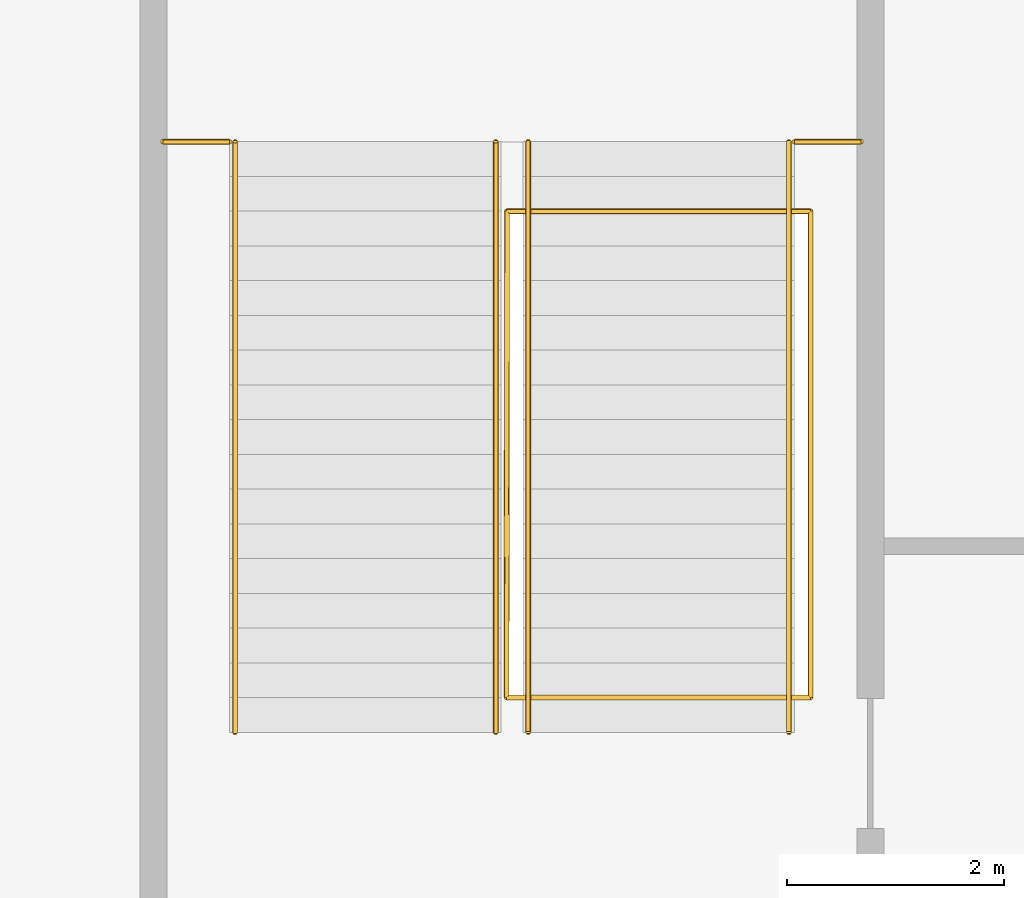
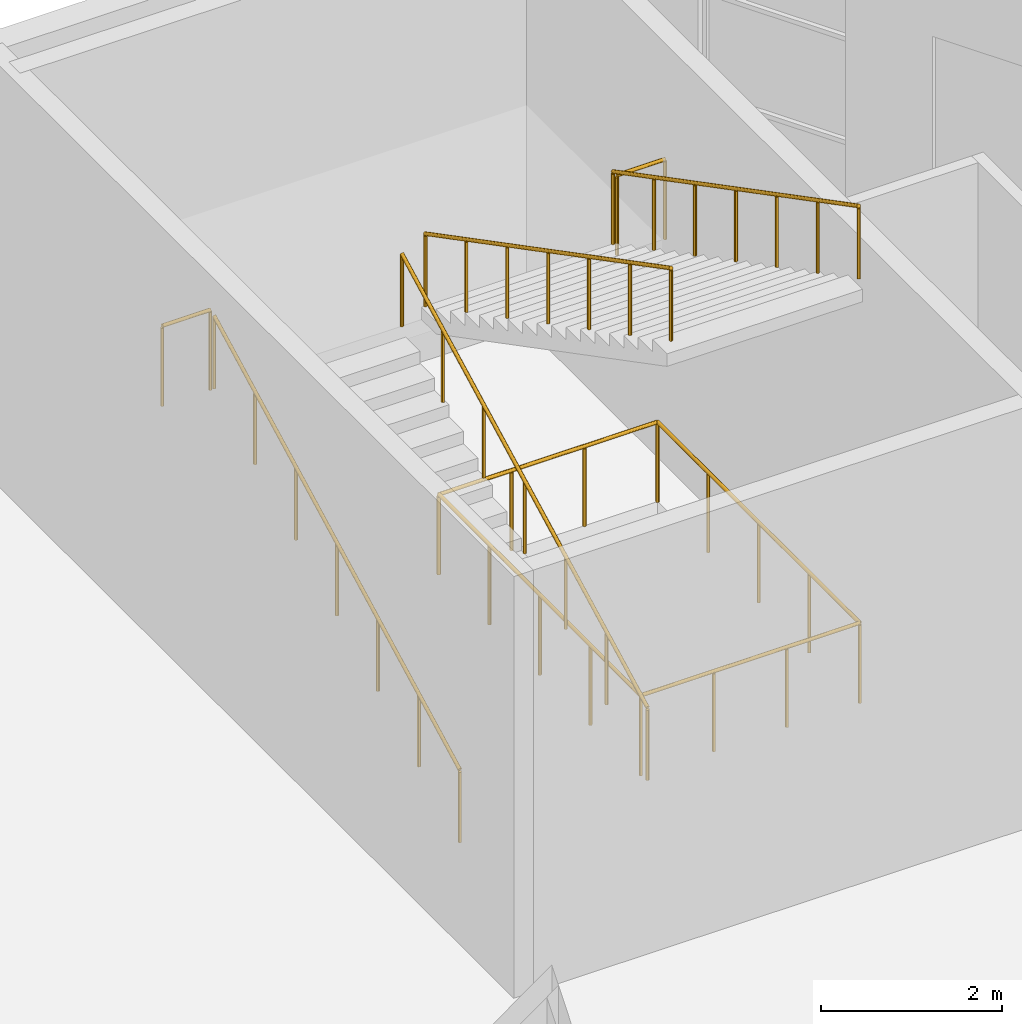
# One storey, part 26 of 27: 7 railings.
"""IFC4 building model written with IfcOpenShell, lengths in metres."""

from ifc_helpers import new_model, si_unit, direction, frame, origin, origin_2d, place, context, subcontext, project, spatial, circle, extrude, material, type_object, element, save


model = new_model("IFC4")

# Units and contexts
model_context = context("Model", 3, precision=1e-05, world=origin(), true_north=direction((0.0, 1.0)))
body_context = subcontext(model_context, "Body", "Model", "MODEL_VIEW")
ifc_project = project(units=[si_unit("LENGTHUNIT", "METRE"), si_unit("AREAUNIT", "SQUARE_METRE"), si_unit("VOLUMEUNIT", "CUBIC_METRE"), si_unit("PLANEANGLEUNIT", "RADIAN"), si_unit("MASSUNIT", "GRAM", prefix="KILO")], contexts=[model_context])

# Site, building, storey
site_placement = place(None, origin())
site = spatial("IfcSite", under=ifc_project, at=site_placement, CompositionType="ELEMENT")
building_placement = place(site_placement, origin())
building = spatial("IfcBuilding", under=site, at=building_placement, Name="Fogline Exchange Tower", CompositionType="ELEMENT")
storey_placement = place(building_placement, frame((0.0, 0.0, 8.0)))
storey = spatial("IfcBuildingStorey", under=building, at=storey_placement, Name="L01", CompositionType="ELEMENT", Elevation=8.0)

# Railings
ifc_material = material(Name="Steel Q235B", Category="steel")
railing_type_1 = type_object("IfcRailingType", Name="PG1", PredefinedType="GUARDRAIL", material=ifc_material)
railing_placement = place(storey_placement, frame((-0.050048828125, 69.985107421875, 0.0)))
element("IfcRailing", 1, at=railing_placement, inside=storey, type_object=railing_type_1, Name="Stair well guard ST6", PredefinedType="GUARDRAIL", context=body_context, shape_type="SweptSolid", body=[
    extrude(circle(Radius=0.02392578125, at=origin_2d()), frame((0.0, 0.0, 1.076171875), z_axis=(1.0, 0.0, 0.0), x_axis=(0.0, 1.0, 0.0)), (0.0, 0.0, 1.0), 2.800048828125),
    extrude(circle(Radius=0.02392578125, at=origin_2d()), frame((2.800048828125, 0.0, 1.076171875), z_axis=(0.0, -1.0, 0.0), x_axis=(1.0, 0.0, 0.0)), (0.0, 0.0, 1.0), 4.47802734375),
    extrude(circle(Radius=0.02392578125, at=origin_2d()), frame((2.800048828125, -4.47802734375, 1.076171875), z_axis=(-1.0, 0.0, 0.0), x_axis=(0.0, -1.0, 0.0)), (0.0, 0.0, 1.0), 2.800048828125),
    extrude(circle(Radius=0.02392578125, at=origin_2d()), frame((0.0, -4.47802734375, 1.076171875), z_axis=(0.001144912563, 0.999999344587, 0.0), x_axis=(-0.999999344587, 0.001144912563, 0.0)), (0.0, 0.0, 1.0), 4.47802734375),
    extrude(circle(Radius=0.02099609375, at=origin_2d()), origin(), (0.0, 0.0, 1.0), 1.052001953125),
    extrude(circle(Radius=0.02099609375, at=origin_2d()), frame((0.933349609375, 0.0, 0.0)), (0.0, 0.0, 1.0), 1.052001953125),
    extrude(circle(Radius=0.02099609375, at=origin_2d()), frame((1.86669921875, 0.0, 0.0)), (0.0, 0.0, 1.0), 1.052001953125),
    extrude(circle(Radius=0.02099609375, at=origin_2d()), frame((2.800048828125, 0.0, 0.0)), (0.0, 0.0, 1.0), 1.052001953125),
    extrude(circle(Radius=0.02099609375, at=origin_2d()), frame((2.800048828125, -1.11962890625, 0.0)), (0.0, 0.0, 1.0), 1.052001953125),
    extrude(circle(Radius=0.02099609375, at=origin_2d()), frame((2.800048828125, -2.239013671875, 0.0)), (0.0, 0.0, 1.0), 1.052001953125),
    extrude(circle(Radius=0.02099609375, at=origin_2d()), frame((2.800048828125, -3.3583984375, 0.0)), (0.0, 0.0, 1.0), 1.052001953125),
    extrude(circle(Radius=0.02099609375, at=origin_2d()), frame((2.800048828125, -4.47802734375, 0.0)), (0.0, 0.0, 1.0), 1.052001953125),
    extrude(circle(Radius=0.02099609375, at=origin_2d()), frame((1.86669921875, -4.47802734375, 0.0)), (0.0, 0.0, 1.0), 1.052001953125),
    extrude(circle(Radius=0.02099609375, at=origin_2d()), frame((0.933349609375, -4.47802734375, 0.0)), (0.0, 0.0, 1.0), 1.052001953125),
    extrude(circle(Radius=0.02099609375, at=origin_2d()), frame((0.0, -4.47802734375, 0.0)), (0.0, 0.0, 1.0), 1.052001953125),
    extrude(circle(Radius=0.02099609375, at=origin_2d()), frame((0.001220703125, -3.3583984375, 0.0)), (0.0, 0.0, 1.0), 1.052001953125),
    extrude(circle(Radius=0.02099609375, at=origin_2d()), frame((0.00244140625, -2.239013671875, 0.0)), (0.0, 0.0, 1.0), 1.052001953125),
    extrude(circle(Radius=0.02099609375, at=origin_2d()), frame((0.00390625, -1.11962890625, 0.0)), (0.0, 0.0, 1.0), 1.052001953125),
    extrude(circle(Radius=0.02099609375, at=origin_2d()), frame((0.005126953125, 0.0, 0.0)), (0.0, 0.0, 1.0), 1.052001953125),
])
for number, where, name in (
    (2, (-3.215087890625, 70.625, 3.0), "Landing guard ST6"),
    (3, (2.60009765625, 70.625, 3.0), "Landing guard ST6"),
):
    element("IfcRailing", number, at=place(storey_placement, frame(where)), inside=storey, type_object=railing_type_1, Name=name, PredefinedType="GUARDRAIL", context=body_context, shape_type="SweptSolid", body=[
        extrude(circle(Radius=0.02392578125, at=origin_2d()), frame((0.0, 0.0, 1.076171875), z_axis=(1.0, 0.0, 0.0), x_axis=(0.0, 1.0, 0.0)), (0.0, 0.0, 1.0), 0.614990234375),
        extrude(circle(Radius=0.02099609375, at=origin_2d()), origin(), (0.0, 0.0, 1.0), 1.052001953125),
        extrude(circle(Radius=0.02099609375, at=origin_2d()), frame((0.614990234375, 0.0, 0.0)), (0.0, 0.0, 1.0), 1.052001953125),
    ])
railing_type_2 = type_object("IfcRailingType", Name="PH1", PredefinedType="HANDRAIL", material=ifc_material)
for number, where, name in (
    (4, (-0.14990234375, 65.18505859375, 0.166748046875), "Handrail ST6"),
    (5, (-2.550048828125, 65.18505859375, 0.166748046875), "Handrail ST6"),
):
    element("IfcRailing", number, at=place(storey_placement, frame(where)), inside=storey, type_object=railing_type_2, Name=name, PredefinedType="HANDRAIL", context=body_context, shape_type="SweptSolid", body=[
        extrude(circle(Radius=0.02392578125, at=origin_2d()), frame((0.0, 0.0, 0.97607421875), z_axis=(0.0, 0.886917481566, 0.461927895771), x_axis=(-1.0, 0.0, 0.0)), (0.0, 0.0, 1.0), 6.133544921875),
        extrude(circle(Radius=0.02099609375, at=origin_2d()), origin(), (0.0, 0.0, 1.0), 0.951904296875),
        extrude(circle(Radius=0.02099609375, at=origin_2d()), frame((0.0, 0.90673828125, 0.47216796875)), (0.0, 0.0, 1.0), 0.951904296875),
        extrude(circle(Radius=0.02099609375, at=origin_2d()), frame((0.0, 1.813232421875, 0.9443359375)), (0.0, 0.0, 1.0), 0.951904296875),
        extrude(circle(Radius=0.02099609375, at=origin_2d()), frame((0.0, 2.719970703125, 1.41650390625)), (0.0, 0.0, 1.0), 0.951904296875),
        extrude(circle(Radius=0.02099609375, at=origin_2d()), frame((0.0, 3.626708984375, 1.888916015625)), (0.0, 0.0, 1.0), 0.951904296875),
        extrude(circle(Radius=0.02099609375, at=origin_2d()), frame((0.0, 4.533203125, 2.361083984375)), (0.0, 0.0, 1.0), 0.951904296875),
        extrude(circle(Radius=0.02099609375, at=origin_2d()), frame((0.0, 5.43994140625, 2.833251953125)), (0.0, 0.0, 1.0), 0.951904296875),
    ])
for number, where, name in (
    (6, (0.14990234375, 70.625, 3.166748046875), "Handrail ST6"),
    (7, (2.550048828125, 70.625, 3.166748046875), "Handrail ST6"),
):
    element("IfcRailing", number, at=place(storey_placement, frame(where)), inside=storey, type_object=railing_type_2, Name=name, PredefinedType="HANDRAIL", context=body_context, shape_type="SweptSolid", body=[
        extrude(circle(Radius=0.02392578125, at=origin_2d()), frame((0.0, 0.0, 0.97607421875), z_axis=(0.0, -0.886917481566, 0.461927895771), x_axis=(1.0, 0.0, 0.0)), (0.0, 0.0, 1.0), 6.133544921875),
        extrude(circle(Radius=0.02099609375, at=origin_2d()), origin(), (0.0, 0.0, 1.0), 0.951904296875),
        extrude(circle(Radius=0.02099609375, at=origin_2d()), frame((0.0, -0.90673828125, 0.47216796875)), (0.0, 0.0, 1.0), 0.951904296875),
        extrude(circle(Radius=0.02099609375, at=origin_2d()), frame((0.0, -1.813232421875, 0.9443359375)), (0.0, 0.0, 1.0), 0.951904296875),
        extrude(circle(Radius=0.02099609375, at=origin_2d()), frame((0.0, -2.719970703125, 1.41650390625)), (0.0, 0.0, 1.0), 0.951904296875),
        extrude(circle(Radius=0.02099609375, at=origin_2d()), frame((0.0, -3.626708984375, 1.888916015625)), (0.0, 0.0, 1.0), 0.951904296875),
        extrude(circle(Radius=0.02099609375, at=origin_2d()), frame((0.0, -4.533203125, 2.361083984375)), (0.0, 0.0, 1.0), 0.951904296875),
        extrude(circle(Radius=0.02099609375, at=origin_2d()), frame((0.0, -5.43994140625, 2.833251953125)), (0.0, 0.0, 1.0), 0.951904296875),
    ])

save(model, "model.ifc")
